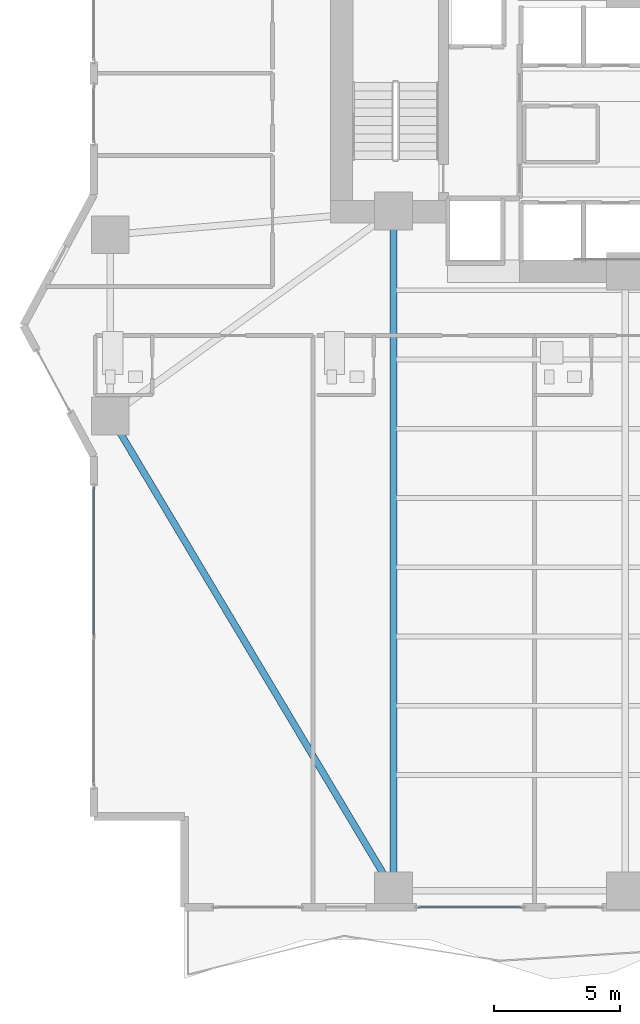
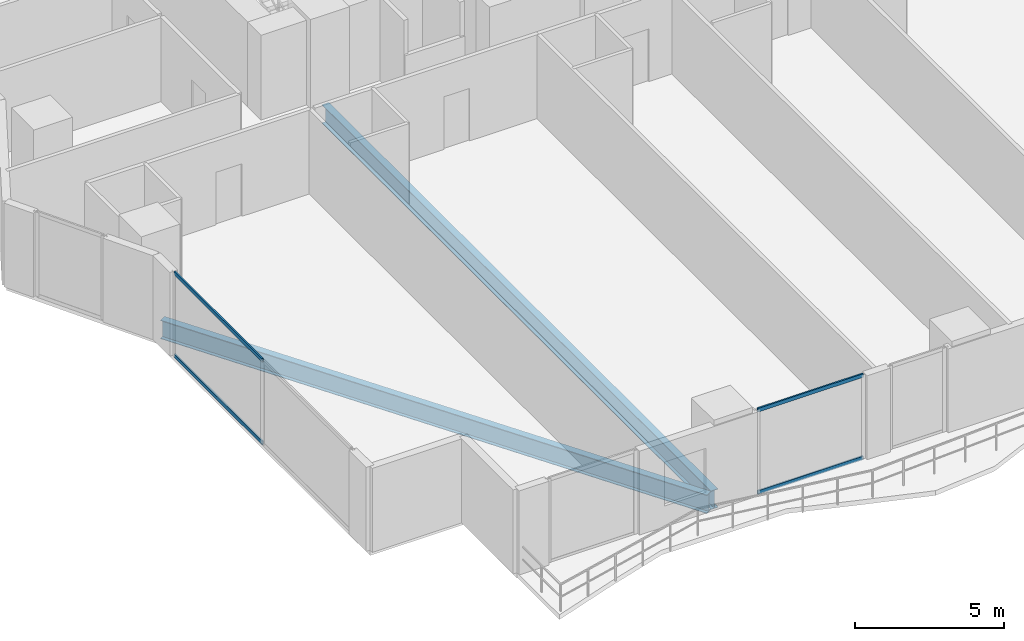
# One storey, part 3 of 29: 4 members, 2 beams, 2 elements without a shape of their own.
"""IFC4 building model written with IfcOpenShell, lengths in metres."""

from ifc_helpers import new_model, si_unit, direction, frame, origin, origin_2d, place, context, subcontext, project, spatial, hollow_rectangle, i_section, extrude, material, layer, layer_set, material_profile, profile_set, type_object, element, aggregate, save


model = new_model("IFC4")

# Units and contexts
model_context = context("Model", 3, precision=1e-05, world=origin(), true_north=direction((0.0, 1.0)))
body_context = subcontext(model_context, "Body", "Model", "MODEL_VIEW")
ifc_project = project(units=[si_unit("LENGTHUNIT", "METRE"), si_unit("AREAUNIT", "SQUARE_METRE"), si_unit("VOLUMEUNIT", "CUBIC_METRE"), si_unit("PLANEANGLEUNIT", "RADIAN"), si_unit("MASSUNIT", "GRAM", prefix="KILO")], contexts=[model_context])

# Site, building, storey
site_placement = place(None, origin())
site = spatial("IfcSite", under=ifc_project, at=site_placement, CompositionType="ELEMENT")
building_placement = place(site_placement, origin())
building = spatial("IfcBuilding", under=site, at=building_placement, Name="Zuhayl Quay Hotel", CompositionType="ELEMENT")
storey_placement = place(building_placement, frame((0.0, 0.0, 42.199951171875)))
storey = spatial("IfcBuildingStorey", under=building, at=storey_placement, Name="L09", CompositionType="ELEMENT", Elevation=42.199951171875)

# Beams
ifc_material_1 = material(Name="Steel ASTM A992 Grade 50", Category="steel")
ifc_material_profile_1 = material_profile(ifc_material_1, i_section(OverallWidth=0.26708984375, OverallDepth=0.761962890625, WebThickness=0.014404296875, FlangeThickness=0.021484375, at=origin_2d()), Name="W30X116")
ifc_profile_set_1 = profile_set([ifc_material_profile_1], Name="Steel ASTM A992 Grade 50")
beam_type = type_object("IfcBeamType", Name="BM_B1_W30X116", PredefinedType="BEAM", material=ifc_profile_set_1)
beam_1_placement = place(storey_placement, frame((-24.793701171875, -4.029296875, -0.600830078125), z_axis=(0.512482593247, -0.85869761361, 0.0), x_axis=(0.85869761361, 0.512482593247, 0.0)))
element("IfcBeam", 1, at=beam_1_placement, inside=storey, type_object=beam_type, Name="L09 Floor Beam RG_L09_12", PredefinedType="BEAM", context=body_context, shape_type="SweptSolid", body=[
    extrude(i_section(OverallWidth=0.26708984375, OverallDepth=0.761962890625, WebThickness=0.014404296875, FlangeThickness=0.021484375, at=origin_2d()), origin(), (0.0, 0.0, 1.0), 20.9521484375),
])
beam_2_placement = place(storey_placement, frame((-13.800048828125, -21.949951171875, -0.600830078125), z_axis=(0.0, 1.0, 0.0), x_axis=(-1.0, 0.0, 0.0)))
element("IfcBeam", 2, at=beam_2_placement, inside=storey, type_object=beam_type, Name="L09 Floor Beam FG_S_L09_1", PredefinedType="BEAM", context=body_context, shape_type="SweptSolid", body=[
    extrude(i_section(OverallWidth=0.26708984375, OverallDepth=0.761962890625, WebThickness=0.014404296875, FlangeThickness=0.021484375, at=origin_2d()), origin(), (0.0, 0.0, 1.0), 26.050048828125),
])

# Curtain wall, members
ifc_material_2 = material(Name="Anodised Aluminium 6063-T6", Category="aluminium")
ifc_layer = layer(ifc_material_2, 0.18994140625, Name="Anodised Aluminium 6063-T6", Category="aluminium")
ifc_layer_set = layer_set([ifc_layer], Name="Anodised Aluminium 6063-T6")
curtain_wall_type = type_object("IfcCurtainWallType", Name="CW_SYS_Z1", PredefinedType="USERDEFINED", material=ifc_layer_set)
curtain_wall_1_placement = place(storey_placement, origin())
curtain_wall_1 = element("IfcCurtainWall", 3, at=curtain_wall_1_placement, inside=storey, type_object=curtain_wall_type, Name="L09 Curtain Wall ENV_L09_E02_CW1", ObjectType="UNITISED CURTAIN WALL", PredefinedType="USERDEFINED")
ifc_material_3 = material(Name="Black-anodised aluminium 6063-T6", Category="aluminium")
ifc_material_profile_2 = material_profile(ifc_material_3, hollow_rectangle(XDim=0.06005859375, YDim=0.14990234375, WallThickness=0.00341796875, at=origin_2d()), Name="ALU150X60")
ifc_profile_set_2 = profile_set([ifc_material_profile_2], Name="Black-anodised aluminium 6063-T6")
member_type = type_object("IfcMemberType", Name="MB_CW_TRN_150", PredefinedType="USERDEFINED", material=ifc_profile_set_2)
member_1_placement = place(storey_placement, frame((-25.699951171875, -12.3125, 0.030029296875), z_axis=(0.0, 1.0, 0.0), x_axis=(-1.0, 0.0, 0.0)))
member_1 = element("IfcMember", 4, at=member_1_placement, type_object=member_type, Name="CW-Z1 transom 2.1", ObjectType="TRANSOM", PredefinedType="USERDEFINED", context=body_context, shape_type="SweptSolid", body=[
    extrude(hollow_rectangle(XDim=0.06005859375, YDim=0.14990234375, WallThickness=0.00341796875, at=origin_2d()), origin(), (0.0, 0.0, 1.0), 5.887451171875),
])
member_2_placement = place(storey_placement, frame((-25.699951171875, -12.3125, 3.400146484375), z_axis=(0.0, 1.0, 0.0), x_axis=(-1.0, 0.0, 0.0)))
member_2 = element("IfcMember", 5, at=member_2_placement, type_object=member_type, Name="CW-Z1 transom 2.2", ObjectType="TRANSOM", PredefinedType="USERDEFINED", context=body_context, shape_type="SweptSolid", body=[
    extrude(hollow_rectangle(XDim=0.06005859375, YDim=0.14990234375, WallThickness=0.00341796875, at=origin_2d()), origin(), (0.0, 0.0, 1.0), 5.887451171875),
])
aggregate(curtain_wall_1, [member_1, member_2])

curtain_wall_2_placement = place(storey_placement, origin())
curtain_wall_2 = element("IfcCurtainWall", 6, at=curtain_wall_2_placement, inside=storey, type_object=curtain_wall_type, Name="L09 Curtain Wall ENV_L09_S_CW4", ObjectType="UNITISED CURTAIN WALL", PredefinedType="USERDEFINED")
member_3_placement = place(storey_placement, frame((-8.72509765625, -23.10009765625, 0.030029296875), z_axis=(-1.0, 0.0, 0.0), x_axis=(0.0, -1.0, 0.0)))
member_3 = element("IfcMember", 7, at=member_3_placement, type_object=member_type, Name="CW-Z1 transom 1.1", ObjectType="TRANSOM", PredefinedType="USERDEFINED", context=body_context, shape_type="SweptSolid", body=[
    extrude(hollow_rectangle(XDim=0.06005859375, YDim=0.14990234375, WallThickness=0.00341796875, at=origin_2d()), origin(), (0.0, 0.0, 1.0), 4.079833984375),
])
member_4_placement = place(storey_placement, frame((-8.72509765625, -23.10009765625, 3.400146484375), z_axis=(-1.0, 0.0, 0.0), x_axis=(0.0, -1.0, 0.0)))
member_4 = element("IfcMember", 8, at=member_4_placement, type_object=member_type, Name="CW-Z1 transom 1.2", ObjectType="TRANSOM", PredefinedType="USERDEFINED", context=body_context, shape_type="SweptSolid", body=[
    extrude(hollow_rectangle(XDim=0.06005859375, YDim=0.14990234375, WallThickness=0.00341796875, at=origin_2d()), origin(), (0.0, 0.0, 1.0), 4.079833984375),
])
aggregate(curtain_wall_2, [member_3, member_4])

save(model, "model.ifc")
